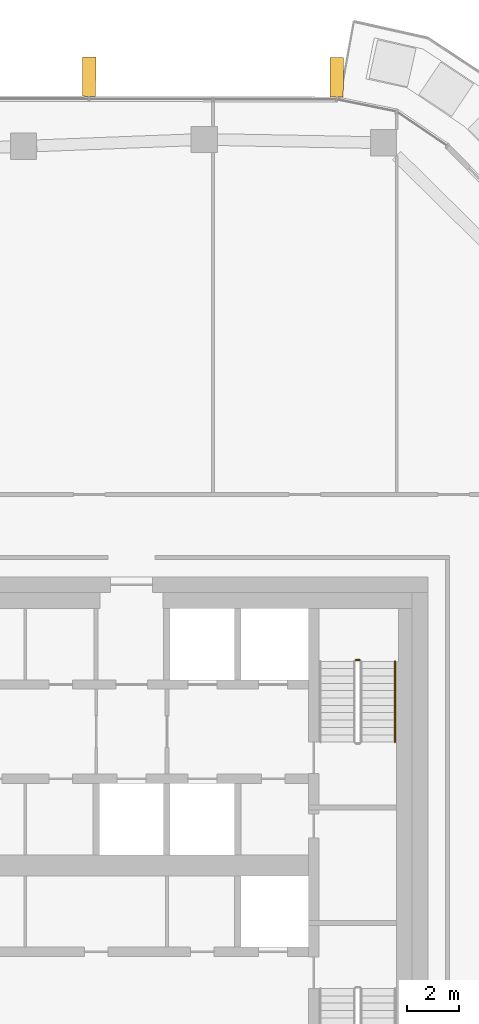
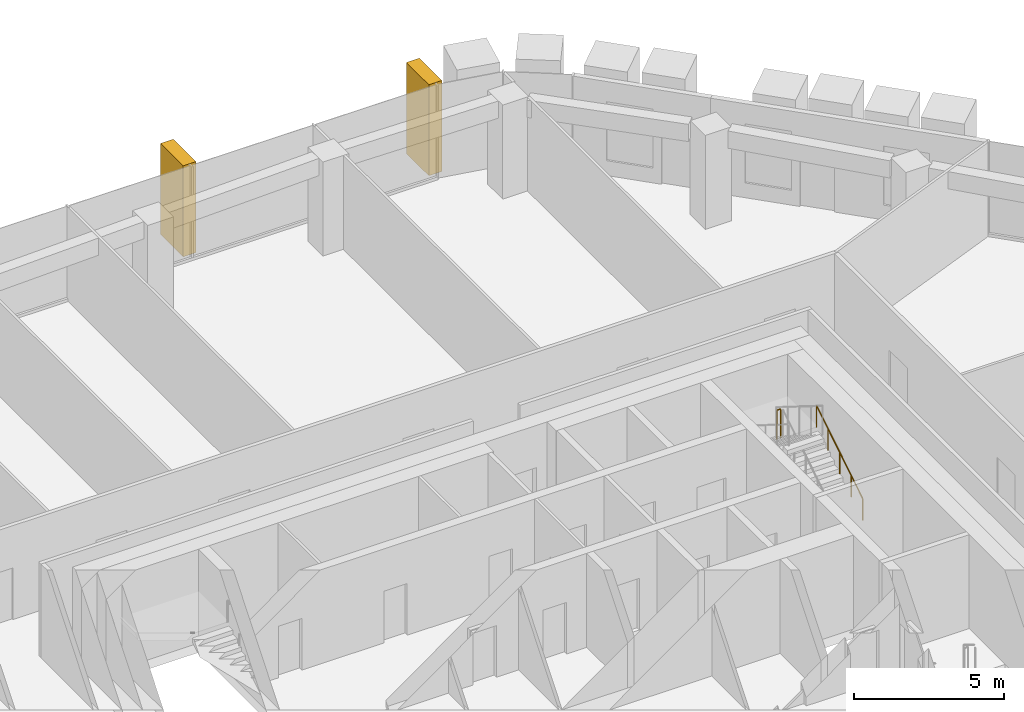
# One storey, part 23 of 24: 2 coverings, 2 railings, 1 element without a shape of its own.
"""IFC4 building model written with IfcOpenShell, lengths in metres."""

from ifc_helpers import new_model, si_unit, direction, frame, origin, origin_2d, place, context, subcontext, project, spatial, rectangle, circle, extrude, material, layer, layer_set, material_profile, profile_set, type_object, element, aggregate, save


model = new_model("IFC4")

# Units and contexts
model_context = context("Model", 3, precision=1e-05, world=origin(), true_north=direction((0.0, 1.0)))
body_context = subcontext(model_context, "Body", "Model", "MODEL_VIEW")
ifc_project = project(units=[si_unit("LENGTHUNIT", "METRE"), si_unit("AREAUNIT", "SQUARE_METRE"), si_unit("VOLUMEUNIT", "CUBIC_METRE"), si_unit("PLANEANGLEUNIT", "RADIAN"), si_unit("MASSUNIT", "GRAM", prefix="KILO")], contexts=[model_context])

# Site, building, storey
site_placement = place(None, origin())
site = spatial("IfcSite", under=ifc_project, at=site_placement, CompositionType="ELEMENT")
building_placement = place(site_placement, origin())
building = spatial("IfcBuilding", under=site, at=building_placement, Name="Dongbaek Canopy Tower", CompositionType="ELEMENT")
storey_placement = place(building_placement, frame((0.0, 0.0, 311.0)))
storey = spatial("IfcBuildingStorey", under=building, at=storey_placement, Name="L66", CompositionType="ELEMENT", Elevation=311.0)

# Curtain wall, coverings
ifc_material_1 = material(Name="Aluminium 6063-T6 pale anodised", Category="aluminium")
ifc_layer = layer(ifc_material_1, 0.199951171875)
ifc_layer_set = layer_set([ifc_layer], Name="CW-1 unitised tower curtain wall")
curtain_wall_type = type_object("IfcCurtainWallType", Name="CW-1 unitised tower curtain wall", PredefinedType="NOTDEFINED", material=ifc_layer_set)
curtain_wall_placement = place(storey_placement, origin())
curtain_wall = element("IfcCurtainWall", 1, at=curtain_wall_placement, inside=storey, type_object=curtain_wall_type, Name="CW-1 curtain wall F1.1", PredefinedType="NOTDEFINED")
ifc_material_2 = material(Name="Aluminium 6063-T6 pale metal fin", Category="aluminium")
ifc_material_profile = material_profile(ifc_material_2, rectangle(XDim=1.5, YDim=0.5, at=origin_2d()), Name="Fin FN1 500 x 1500 pale metal")
ifc_profile_set = profile_set([ifc_material_profile], Name="Aluminium 6063-T6 pale metal fin")
covering_type = type_object("IfcCoveringType", Name="Fin FN1 500 x 1500 pale metal", PredefinedType="CLADDING", material=ifc_profile_set)
covering_1_placement = place(storey_placement, frame((10.52587890625, 30.066650390625, 0.1201171875), z_axis=(0.0, 0.0, 1.0), x_axis=(0.002180161438, 0.999997623445, 0.0)))
covering_1 = element("IfcCovering", 2, at=covering_1_placement, type_object=covering_type, Name="Fin F1.1.1", PredefinedType="CLADDING", context=body_context, shape_type="SweptSolid", body=[
    extrude(rectangle(XDim=1.5, YDim=0.5, at=origin_2d()), origin(), (0.0, 0.0, 1.0), 3.699951171875),
])
covering_2_placement = place(storey_placement, frame((1.08349609375, 30.087158203125, 0.1201171875), z_axis=(0.0, 0.0, 1.0), x_axis=(0.002180161438, 0.999997623445, 0.0)))
covering_2 = element("IfcCovering", 3, at=covering_2_placement, type_object=covering_type, Name="Fin F1.1.3", PredefinedType="CLADDING", context=body_context, shape_type="SweptSolid", body=[
    extrude(rectangle(XDim=1.5, YDim=0.5, at=origin_2d()), origin(), (0.0, 0.0, 1.0), 3.699951171875),
])
aggregate(curtain_wall, [covering_1, covering_2])

# Railings
ifc_material_3 = material(Name="Stainless steel tube and balusters", Category="steel")
railing_type_1 = type_object("IfcRailingType", Name="Stair guard 1200", PredefinedType="GUARDRAIL", material=ifc_material_3)
railing_1_placement = place(storey_placement, frame((11.39990234375, 7.830078125, 2.10009765625)))
element("IfcRailing", 4, at=railing_1_placement, inside=storey, type_object=railing_type_1, Name="L66 ST-A stair guard 2", PredefinedType="GUARDRAIL", context=body_context, shape_type="SweptSolid", body=[
    extrude(circle(Radius=0.02392578125, at=origin_2d()), frame((0.0, 0.0, 1.17578125), z_axis=(-1.0, 0.0, 0.0), x_axis=(0.0, -1.0, 0.0)), (0.0, 0.0, 1.0), 0.14990234375),
    extrude(circle(Radius=0.02099609375, at=origin_2d()), origin(), (0.0, 0.0, 1.0), 1.15185546875),
    extrude(circle(Radius=0.02099609375, at=origin_2d()), frame((-0.14990234375, 0.0, 0.0)), (0.0, 0.0, 1.0), 1.15185546875),
])
ifc_material_4 = material(Name="Stainless steel tube", Category="steel")
railing_type_2 = type_object("IfcRailingType", Name="Stair handrail 900", PredefinedType="HANDRAIL", material=ifc_material_4)
railing_2_placement = place(storey_placement, frame((12.75, 4.699951171875, 0.175048828125)))
element("IfcRailing", 5, at=railing_2_placement, inside=storey, type_object=railing_type_2, Name="L66 ST-A stair handrail 1", PredefinedType="HANDRAIL", context=body_context, shape_type="SweptSolid", body=[
    extrude(circle(Radius=0.02392578125, at=origin_2d()), frame((0.0, 0.0, 0.8759765625), z_axis=(0.0, 0.847998304005, 0.529998940003), x_axis=(-1.0, 0.0, 0.0)), (0.0, 0.0, 1.0), 3.632080078125),
    extrude(circle(Radius=0.02099609375, at=origin_2d()), origin(), (0.0, 0.0, 1.0), 0.851806640625),
    extrude(circle(Radius=0.02099609375, at=origin_2d()), frame((0.0, 0.77001953125, 0.481201171875)), (0.0, 0.0, 1.0), 0.851806640625),
    extrude(circle(Radius=0.02099609375, at=origin_2d()), frame((0.0, 1.5400390625, 0.96240234375)), (0.0, 0.0, 1.0), 0.851806640625),
    extrude(circle(Radius=0.02099609375, at=origin_2d()), frame((0.0, 2.31005859375, 1.44384765625)), (0.0, 0.0, 1.0), 0.851806640625),
    extrude(circle(Radius=0.02099609375, at=origin_2d()), frame((0.0, 3.080078125, 1.925048828125)), (0.0, 0.0, 1.0), 0.851806640625),
])

save(model, "model.ifc")
